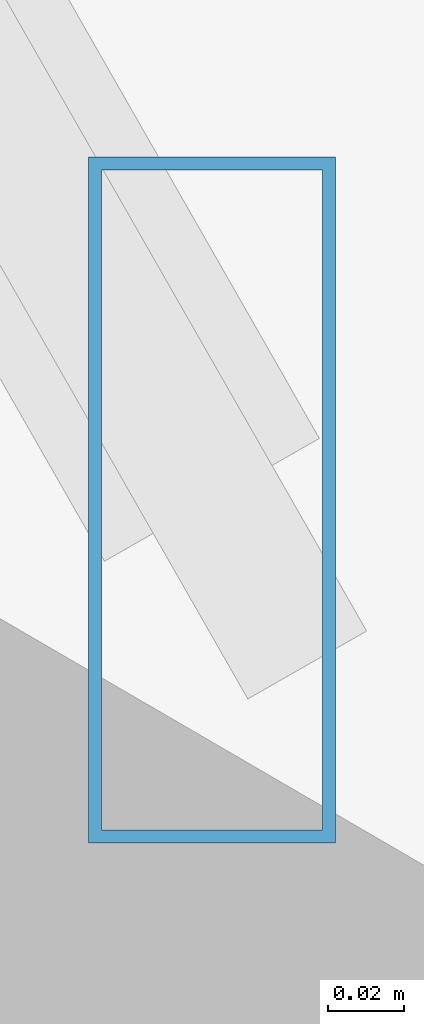
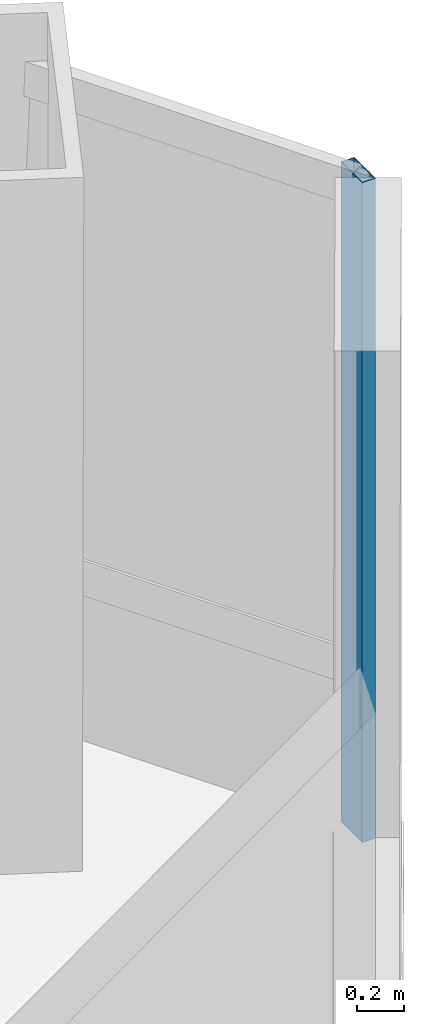
# One storey, part 20 of 36: 1 member, 1 element without a shape of its own.
"""IFC4 building model written with IfcOpenShell, lengths in metres."""

import ifcopenshell
import ifcopenshell.guid

model = None  # the IFC model being written
_history = None  # IfcOwnerHistory: only IFC2X3 demands one
_inside = {}  # id of a spatial element -> (the spatial element, [elements in it])
_under = {}  # id of a project, library or spatial element -> (it, [spatial elements below it])
_declared = {}  # id of a project -> (the project, [libraries it declares])
_typed = {}  # id of a type object -> (the type object, [elements of that type])
_made_of = {}  # id of a material, layer set ... -> (it, [elements and type objects made of it])


def new_model(schema):
    """Start an empty IFC model of exactly this schema.

    Asked for "IFC4X3", IfcOpenShell would pick the latest addendum, in which some entities
    have other attributes; the version numbers below select the first issue.
    IFC2X3 requires an IfcOwnerHistory on every rooted entity: one is made here for all.
    """
    global model, _history
    if schema == "IFC4X3":
        model = ifcopenshell.file(schema_version=(4, 3, 0, 0))
    else:
        model = ifcopenshell.file(schema=schema)
    _inside.clear()
    _under.clear()
    _declared.clear()
    _typed.clear()
    _made_of.clear()
    _history = None
    if model.schema == "IFC2X3":
        org = make("IfcOrganization", Name="unknown")
        user = make(
            "IfcPersonAndOrganization",
            ThePerson=make("IfcPerson", FamilyName="unknown"),
            TheOrganization=org,
        )
        app = make(
            "IfcApplication",
            ApplicationDeveloper=org,
            Version="unknown",
            ApplicationFullName="unknown",
            ApplicationIdentifier="unknown",
        )
        _history = make(
            "IfcOwnerHistory",
            OwningUser=user,
            OwningApplication=app,
            ChangeAction="ADDED",
            CreationDate=0,
        )
    return model


def make(cls, **values):
    """One entity of the class cls with the attributes given. An attribute that is None is left unset."""
    return model.create_entity(
        cls, **{name: value for name, value in values.items() if value is not None}
    )


def rooted(cls, **values):
    """An entity with a GlobalId (a new one), such as an element, a storey or a relation."""
    return make(cls, GlobalId=ifcopenshell.guid.new(), OwnerHistory=_history, **values)


def si_unit(unit_type, name, prefix=None):
    """IfcSIUnit, for example si_unit("LENGTHUNIT", "METRE", prefix="MILLI")."""
    return make("IfcSIUnit", UnitType=unit_type, Prefix=prefix, Name=name)


def assignment(units):
    """IfcUnitAssignment: the units of a project."""
    return None if units is None else make("IfcUnitAssignment", Units=units)


def point(xyz):
    """IfcCartesianPoint."""
    return None if xyz is None else make("IfcCartesianPoint", Coordinates=xyz)


def direction(xyz):
    """IfcDirection."""
    return None if xyz is None else make("IfcDirection", DirectionRatios=xyz)


def frame(location, z_axis=None, x_axis=None):
    """IfcAxis2Placement3D, a coordinate frame: its origin and axes. An axis left out is left unset."""
    return make(
        "IfcAxis2Placement3D",
        Location=point(location),
        Axis=direction(z_axis),
        RefDirection=direction(x_axis),
    )


def frame_2d(location, x_axis=None):
    """IfcAxis2Placement2D, a coordinate frame in the plane: its origin and x axis."""
    return make(
        "IfcAxis2Placement2D", Location=point(location), RefDirection=direction(x_axis)
    )


def origin():
    """The frame at (0, 0, 0) with its axes left unset."""
    return frame((0.0, 0.0, 0.0))


def origin_2d():
    """The frame at (0, 0) in the plane with its x axis left unset."""
    return frame_2d((0.0, 0.0))


def place(relative_to, where):
    """IfcLocalPlacement: puts the frame where relative to a parent placement (None: the world)."""
    return make(
        "IfcLocalPlacement", PlacementRelTo=relative_to, RelativePlacement=where
    )


def context(
    kind, dimensions, precision=None, world=None, true_north=None, identifier=None
):
    """IfcGeometricRepresentationContext, for example the 3D "Model" context."""
    return make(
        "IfcGeometricRepresentationContext",
        ContextIdentifier=identifier,
        ContextType=kind,
        CoordinateSpaceDimension=dimensions,
        Precision=precision,
        WorldCoordinateSystem=world,
        TrueNorth=true_north,
    )


def subcontext(parent, identifier, kind, view, scale=None):
    """IfcGeometricRepresentationSubContext, for example "Body" below "Model"."""
    return make(
        "IfcGeometricRepresentationSubContext",
        ContextIdentifier=identifier,
        ContextType=kind,
        ParentContext=parent,
        TargetScale=scale,
        TargetView=view,
    )


def project(units=None, contexts=None):
    """IfcProject with its units and contexts."""
    return rooted(
        "IfcProject",
        Name="project",
        RepresentationContexts=contexts,
        UnitsInContext=assignment(units),
    )


def spatial(cls, under=None, at=None, **own):
    """A site, building, storey or space (cls), placed at a placement, below another one or the project."""
    s = rooted(cls, ObjectPlacement=at, **own)
    if under is not None:
        _under.setdefault(under.id(), (under, []))[1].append(s)
    return s


def profile(cls, at=None, kind="AREA", **sizes):
    """A parametric profile (cls). Its sizes go by their IFC names, for example OverallWidth=200.0."""
    return make(cls, ProfileType=kind, Position=at, **sizes)


def hollow_rectangle(**sizes):
    """IfcRectangleHollowProfileDef."""
    return profile("IfcRectangleHollowProfileDef", **sizes)


def extrude(swept, where, along, depth):
    """IfcExtrudedAreaSolid: the profile swept, set in the frame where, extruded along a direction by depth."""
    return make(
        "IfcExtrudedAreaSolid",
        SweptArea=swept,
        Position=where,
        ExtrudedDirection=direction(along),
        Depth=depth,
    )


def shape(context_of_items, identifier, shape_type, items):
    """IfcShapeRepresentation: the items that make up one representation, for example the "Body"."""
    return make(
        "IfcShapeRepresentation",
        ContextOfItems=context_of_items,
        RepresentationIdentifier=identifier,
        RepresentationType=shape_type,
        Items=items,
    )


def source(mapping_origin, context_of_items, identifier, shape_type, items):
    """IfcRepresentationMap: a shape defined once, which mapped items show again and again."""
    return make(
        "IfcRepresentationMap",
        MappingOrigin=mapping_origin,
        MappedRepresentation=shape(context_of_items, identifier, shape_type, items),
    )


def transform(
    local_origin,
    x_axis=None,
    y_axis=None,
    z_axis=None,
    scale=None,
    scale2=None,
    scale3=None,
    uniform=True,
):
    """IfcCartesianTransformationOperator3D, or its non-uniform kind. x_axis, y_axis, z_axis: its Axis1, 2, 3."""
    if uniform:
        return make(
            "IfcCartesianTransformationOperator3D",
            Axis1=direction(x_axis),
            Axis2=direction(y_axis),
            LocalOrigin=point(local_origin),
            Scale=scale,
            Axis3=direction(z_axis),
        )
    return make(
        "IfcCartesianTransformationOperator3DnonUniform",
        Axis1=direction(x_axis),
        Axis2=direction(y_axis),
        LocalOrigin=point(local_origin),
        Scale=scale,
        Axis3=direction(z_axis),
        Scale2=scale2,
        Scale3=scale3,
    )


def mapped(mapping_source, mapping_target):
    """IfcMappedItem: shows the shape of a source again, moved by a transform."""
    return make(
        "IfcMappedItem", MappingSource=mapping_source, MappingTarget=mapping_target
    )


def material(Name=None, Category=None):
    """IfcMaterial."""
    return make("IfcMaterial", Name=Name, Category=Category)


def material_profile(
    of_material, cross_section, Name=None, Category=None, Priority=None
):
    """IfcMaterialProfile: a cross section and its material."""
    return make(
        "IfcMaterialProfile",
        Name=Name,
        Material=of_material,
        Profile=cross_section,
        Priority=Priority,
        Category=Category,
    )


def profile_set(profiles, Name=None, composite=None):
    """IfcMaterialProfileSet."""
    return make(
        "IfcMaterialProfileSet",
        Name=Name,
        MaterialProfiles=profiles,
        CompositeProfile=composite,
    )


def made_of(thing, what):
    """Note that an element or type object is made of a material, layer set ...; save() writes the relation."""
    if what is not None:
        _made_of.setdefault(what.id(), (what, []))[1].append(thing)
    return thing


def type_object(cls, material=None, **own):
    """A type object (cls), such as IfcWallType, which elements share."""
    return made_of(rooted(cls, **own), material)


def type_shapes(of_type, sources):
    """Give a type object the sources (RepresentationMaps) that its elements show as mapped items."""
    of_type.RepresentationMaps = sources


def element(
    cls,
    number,
    at=None,
    inside=None,
    cuts=None,
    type_object=None,
    material=None,
    context=None,
    identifier="Body",
    shape_type=None,
    held_by="IfcProductDefinitionShape",
    body=None,
    shapes=None,
    **own,
):
    """One element of the class cls, such as IfcWall. Its Tag is "e" and its number.

    at: its placement. inside: the storey or other place that contains it. cuts: it is an
    opening in that element (IfcRelVoidsElement). A single representation is given by context,
    identifier, shape_type and body (its items); several are given by shapes. held_by: the class
    of the entity that holds the representations. save() writes the other relations.
    """
    e = rooted(cls, Tag="e%d" % number, ObjectPlacement=at, **own)
    if body is not None:
        shapes = [shape(context, identifier, shape_type, body)]
    if shapes is not None:
        e.Representation = make(held_by, Representations=shapes)
    if inside is not None:
        _inside.setdefault(inside.id(), (inside, []))[1].append(e)
    if cuts is not None:
        rooted(
            "IfcRelVoidsElement", RelatingBuildingElement=cuts, RelatedOpeningElement=e
        )
    if type_object is not None:
        _typed.setdefault(type_object.id(), (type_object, []))[1].append(e)
    return made_of(e, material)


def aggregate(whole, parts):
    """IfcRelAggregates: a whole, such as a stair, and the parts it consists of."""
    return rooted("IfcRelAggregates", RelatingObject=whole, RelatedObjects=parts)


def save(model, path):
    """Write the relations noted so far, then the file.

    IfcRelAggregates (storeys below a building ...), IfcRelContainedInSpatialStructure (elements
    in a storey), IfcRelDefinesByType, IfcRelAssociatesMaterial and IfcRelDeclares: one each for
    every whole, place, type object, material and project.
    """
    for whole, parts in _under.values():
        aggregate(whole, parts)
    for where, things in _inside.values():
        rooted(
            "IfcRelContainedInSpatialStructure",
            RelatedElements=things,
            RelatingStructure=where,
        )
    for kind, things in _typed.values():
        rooted("IfcRelDefinesByType", RelatedObjects=things, RelatingType=kind)
    for what, things in _made_of.values():
        rooted("IfcRelAssociatesMaterial", RelatedObjects=things, RelatingMaterial=what)
    for by, libraries in _declared.values():
        rooted("IfcRelDeclares", RelatingContext=by, RelatedDefinitions=libraries)
    model.write(path)


model = new_model("IFC4")

# Units and contexts
model_context = context("Model", 3, precision=1e-05, world=origin(), true_north=direction((0.0, 1.0)))
body_context = subcontext(model_context, "Body", "Model", "MODEL_VIEW")
ifc_project = project(units=[si_unit("LENGTHUNIT", "METRE"), si_unit("AREAUNIT", "SQUARE_METRE"), si_unit("VOLUMEUNIT", "CUBIC_METRE"), si_unit("PLANEANGLEUNIT", "RADIAN"), si_unit("MASSUNIT", "GRAM", prefix="KILO")], contexts=[model_context])

# Site, building, storey
site_placement = place(None, origin())
site = spatial("IfcSite", under=ifc_project, at=site_placement, CompositionType="ELEMENT")
building_placement = place(site_placement, origin())
building = spatial("IfcBuilding", under=site, at=building_placement, Name="Caelisora Broadcast Tower", CompositionType="ELEMENT")
storey_placement = place(building_placement, frame((0.0, 0.0, 64.10009765625)))
storey = spatial("IfcBuildingStorey", under=building, at=storey_placement, Name="L16", CompositionType="ELEMENT", Elevation=64.10009765625)

# Curtain wall, member
ifc_material_1 = material(Name="Unitised Aluminium and Low-E Glass Curtain Wall", Category="glass")
curtain_wall_type = type_object("IfcCurtainWallType", Name="CW-Z1", PredefinedType="NOTDEFINED", material=ifc_material_1)
curtain_wall_placement = place(storey_placement, origin())
curtain_wall = element("IfcCurtainWall", 1, at=curtain_wall_placement, inside=storey, type_object=curtain_wall_type, Name="L16 curtain wall CW-Z1", PredefinedType="NOTDEFINED")
ifc_material_2 = material(Name="Aluminium 6063-T6 Anodised Terracotta Bronze", Category="aluminium")
ifc_material_profile = material_profile(ifc_material_2, hollow_rectangle(XDim=0.06494140625, YDim=0.179931640625, WallThickness=0.00341796875, at=origin_2d()), Name="Aluminium 6063-T6 Anodised Terracotta Bronze")
ifc_profile_set = profile_set([ifc_material_profile], Name="Aluminium 6063-T6 Anodised Terracotta Bronze")
member_type = type_object("IfcMemberType", Name="CWM-02", PredefinedType="MULLION", material=ifc_profile_set)
shared_shape = source(origin(), body_context, "Body", "SweptSolid", [
    extrude(hollow_rectangle(XDim=0.06494140625, YDim=0.179931640625, WallThickness=0.00341796875, at=origin_2d()), origin(), (0.0, 0.0, 1.0), 3.39990234375),
])
type_shapes(member_type, [shared_shape])
member_placement = place(storey_placement, frame((63.01123046875, 18.9853515625, 0.0), z_axis=(0.0, 0.0, 1.0), x_axis=(1.0, 0.0, 0.0)))
member = element("IfcMember", 2, at=member_placement, type_object=member_type, Name="L16-CW-B03 mullion #3", PredefinedType="MULLION", context=body_context, shape_type="MappedRepresentation", body=[
    mapped(shared_shape, transform((0.0, 0.0, 0.0), scale=1.0)),
])
aggregate(curtain_wall, [member])

save(model, "model.ifc")
